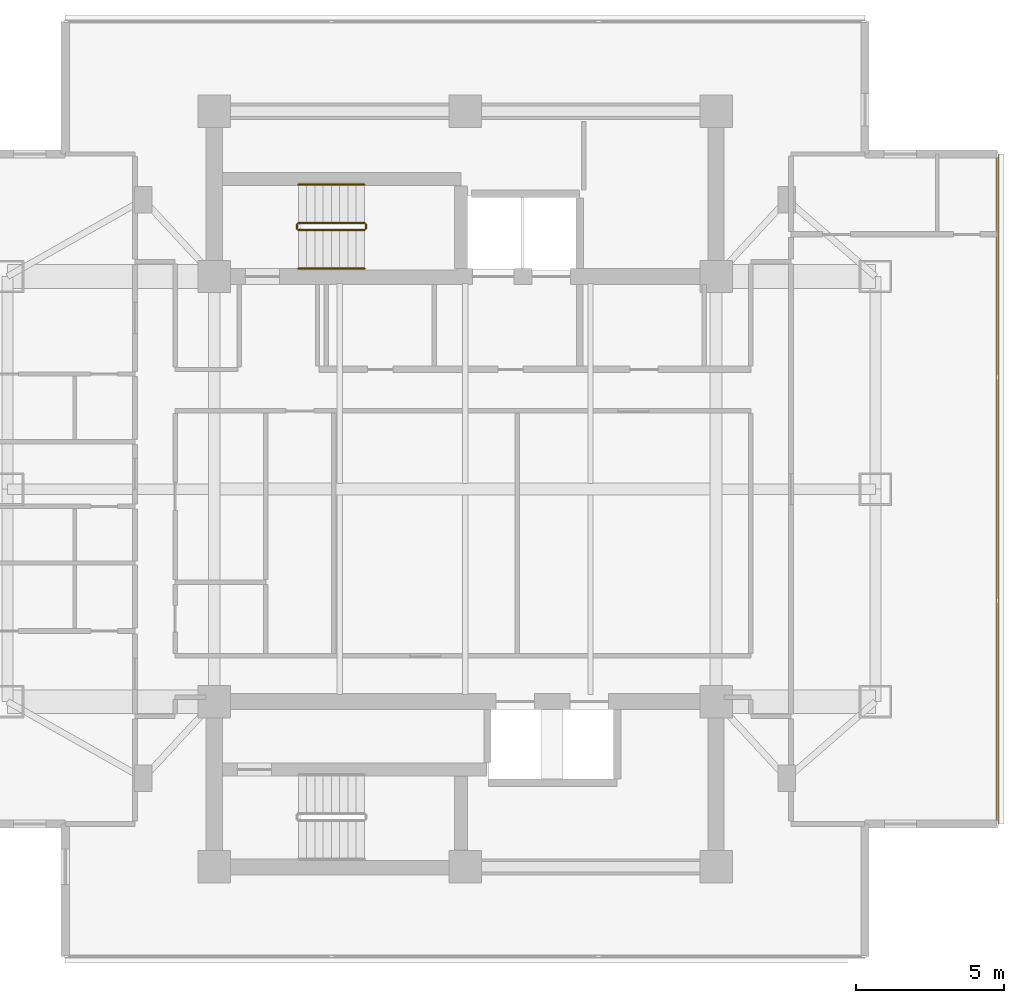
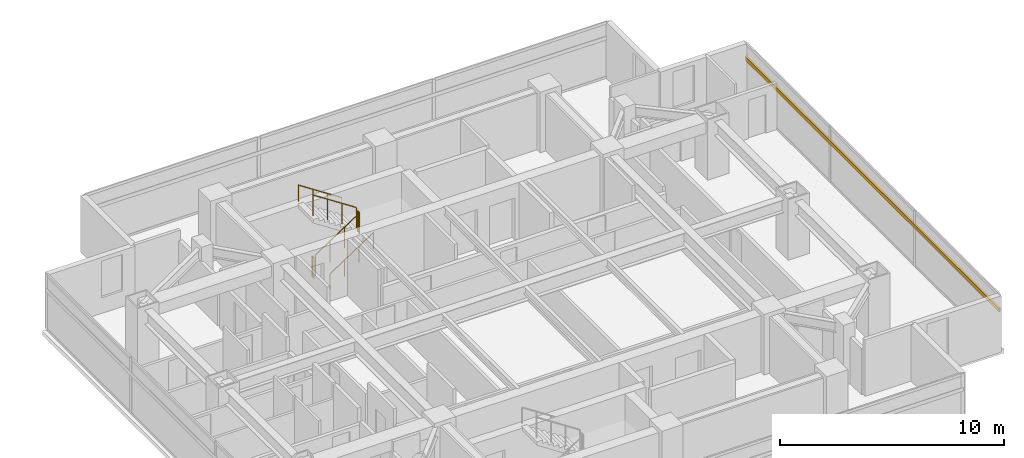
# One storey, part 23 of 24: 6 railings, 1 shading device.
"""IFC4 building model written with IfcOpenShell, lengths in metres."""

from ifc_helpers import new_model, si_unit, direction, frame, origin, origin_2d, place, context, subcontext, project, spatial, rectangle, circle, extrude, material, material_profile, profile_set, type_object, element, save


model = new_model("IFC4")

# Units and contexts
model_context = context("Model", 3, precision=1e-05, world=origin(), true_north=direction((0.0, 1.0)))
body_context = subcontext(model_context, "Body", "Model", "MODEL_VIEW")
ifc_project = project(units=[si_unit("LENGTHUNIT", "METRE"), si_unit("AREAUNIT", "SQUARE_METRE"), si_unit("VOLUMEUNIT", "CUBIC_METRE"), si_unit("PLANEANGLEUNIT", "RADIAN"), si_unit("MASSUNIT", "GRAM", prefix="KILO")], contexts=[model_context])

# Site, building, storey
site_placement = place(None, origin())
site = spatial("IfcSite", under=ifc_project, at=site_placement, CompositionType="ELEMENT")
building_placement = place(site_placement, origin())
building = spatial("IfcBuilding", under=site, at=building_placement, Name="Mirazonda Arch Towers", CompositionType="ELEMENT")
storey_placement = place(building_placement, frame((0.0, 0.0, 134.60009765625)))
storey = spatial("IfcBuildingStorey", under=building, at=storey_placement, Name="L38", CompositionType="ELEMENT", Elevation=134.60009765625)

# Shading device
ifc_material_1 = material(Name="Kiln-Fired Architectural Terracotta", Category="masonry")
ifc_material_profile = material_profile(ifc_material_1, rectangle(XDim=0.10009765625, YDim=0.199951171875, at=origin_2d()), Name="TERRA-BAG-100x200")
ifc_profile_set = profile_set([ifc_material_profile], Name="Kiln-Fired Architectural Terracotta")
shading_device_type = type_object("IfcShadingDeviceType", Name="BAGUETTE-2", PredefinedType="USERDEFINED", material=ifc_profile_set)
shading_device_placement = place(storey_placement, frame((94.534912109375, 16.65087890625, 2.203125), z_axis=(0.0, 1.0, 0.0), x_axis=(-1.0, 0.0, 0.0)))
element("IfcShadingDevice", 1, at=shading_device_placement, inside=storey, type_object=shading_device_type, Name="L38 Glazed Terracotta Sun-Screen Baguette CW-L38-T2-E", ObjectType="BAGUETTE", PredefinedType="USERDEFINED", context=body_context, shape_type="SweptSolid", body=[
    extrude(rectangle(XDim=0.10009765625, YDim=0.199951171875, at=origin_2d()), origin(), (0.0, 0.0, 1.0), 22.6982421875),
])

# Railings
ifc_material_2 = material(Name="Architectural Brushed Steel S355", Category="steel")
railing_type_1 = type_object("IfcRailingType", Name="GUARD-STAIR-1120", PredefinedType="GUARDRAIL", material=ifc_material_2)
railing_1_placement = place(storey_placement, frame((70.85009765625, 36.77001953125, 0.183349609375)))
element("IfcRailing", 2, at=railing_1_placement, inside=storey, type_object=railing_type_1, Name="L38 ST-T2N stair guard 1", PredefinedType="GUARDRAIL", context=body_context, shape_type="SweptSolid", body=[
    extrude(circle(Radius=0.02392578125, at=origin_2d()), frame((0.0, 0.0, 1.1259765625), z_axis=(0.836636935527, 0.0, 0.547757827979), x_axis=(0.0, 1.0, 0.0)), (0.0, 0.0, 1.0), 2.677490234375),
    extrude(circle(Radius=0.02099609375, at=origin_2d()), origin(), (0.0, 0.0, 1.0), 1.101806640625),
    extrude(circle(Radius=0.02099609375, at=origin_2d()), frame((0.74658203125, 0.0, 0.48876953125)), (0.0, 0.0, 1.0), 1.101806640625),
    extrude(circle(Radius=0.02099609375, at=origin_2d()), frame((1.493408203125, 0.0, 0.977783203125)), (0.0, 0.0, 1.0), 1.101806640625),
    extrude(circle(Radius=0.02099609375, at=origin_2d()), frame((2.239990234375, 0.0, 1.466552734375)), (0.0, 0.0, 1.0), 1.101806640625),
])
railing_2_placement = place(storey_placement, frame((73.139892578125, 36.820068359375, 1.64990234375)))
element("IfcRailing", 3, at=railing_2_placement, inside=storey, type_object=railing_type_1, Name="L38 ST-T2N stair guard 2", PredefinedType="GUARDRAIL", context=body_context, shape_type="SweptSolid", body=[
    extrude(circle(Radius=0.02392578125, at=origin_2d()), frame((0.0, 0.0, 1.1259765625), z_axis=(0.0, 1.0, 0.0), x_axis=(-1.0, 0.0, 0.0)), (0.0, 0.0, 1.0), 0.139892578125),
    extrude(circle(Radius=0.02099609375, at=origin_2d()), origin(), (0.0, 0.0, 1.0), 1.101806640625),
    extrude(circle(Radius=0.02099609375, at=origin_2d()), frame((0.0, 0.139892578125, 0.0)), (0.0, 0.0, 1.0), 1.101806640625),
])
railing_3_placement = place(storey_placement, frame((73.090087890625, 37.010009765625, 1.833251953125)))
element("IfcRailing", 4, at=railing_3_placement, inside=storey, type_object=railing_type_1, Name="L38 ST-T2N stair guard 3", PredefinedType="GUARDRAIL", context=body_context, shape_type="SweptSolid", body=[
    extrude(circle(Radius=0.02392578125, at=origin_2d()), frame((0.0, 0.0, 1.1259765625), z_axis=(-0.836636935527, 0.0, 0.547757827979), x_axis=(0.0, -1.0, 0.0)), (0.0, 0.0, 1.0), 2.677490234375),
    extrude(circle(Radius=0.02099609375, at=origin_2d()), origin(), (0.0, 0.0, 1.0), 1.101806640625),
    extrude(circle(Radius=0.02099609375, at=origin_2d()), frame((-0.74658203125, 0.0, 0.48876953125)), (0.0, 0.0, 1.0), 1.101806640625),
    extrude(circle(Radius=0.02099609375, at=origin_2d()), frame((-1.493408203125, 0.0, 0.977783203125)), (0.0, 0.0, 1.0), 1.101806640625),
    extrude(circle(Radius=0.02099609375, at=origin_2d()), frame((-2.239990234375, 0.0, 1.466552734375)), (0.0, 0.0, 1.0), 1.101806640625),
])
railing_4_placement = place(storey_placement, frame((70.800048828125, 36.820068359375, 0.0)))
element("IfcRailing", 5, at=railing_4_placement, inside=storey, type_object=railing_type_1, Name="L38 ST-T2N stair guard 4", PredefinedType="GUARDRAIL", context=body_context, shape_type="SweptSolid", body=[
    extrude(circle(Radius=0.02392578125, at=origin_2d()), frame((0.0, 0.0, 1.1259765625), z_axis=(0.0, 1.0, 0.0), x_axis=(-1.0, 0.0, 0.0)), (0.0, 0.0, 1.0), 0.139892578125),
    extrude(circle(Radius=0.02099609375, at=origin_2d()), origin(), (0.0, 0.0, 1.0), 1.101806640625),
    extrude(circle(Radius=0.02099609375, at=origin_2d()), frame((0.0, 0.139892578125, 0.0)), (0.0, 0.0, 1.0), 1.101806640625),
])
railing_type_2 = type_object("IfcRailingType", Name="HANDRAIL-915", PredefinedType="HANDRAIL", material=ifc_material_2)
railing_5_placement = place(storey_placement, frame((70.85009765625, 35.469970703125, 0.183349609375)))
element("IfcRailing", 6, at=railing_5_placement, inside=storey, type_object=railing_type_2, Name="L38 ST-T2N stair handrail 1", PredefinedType="HANDRAIL", context=body_context, shape_type="SweptSolid", body=[
    extrude(circle(Radius=0.02392578125, at=origin_2d()), frame((0.0, 0.0, 0.8759765625), z_axis=(0.836636935527, 0.0, 0.547757827979), x_axis=(0.0, 1.0, 0.0)), (0.0, 0.0, 1.0), 2.677490234375),
    extrude(circle(Radius=0.02099609375, at=origin_2d()), origin(), (0.0, 0.0, 1.0), 0.851806640625),
    extrude(circle(Radius=0.02099609375, at=origin_2d()), frame((0.74658203125, 0.0, 0.48876953125)), (0.0, 0.0, 1.0), 0.851806640625),
    extrude(circle(Radius=0.02099609375, at=origin_2d()), frame((1.493408203125, 0.0, 0.977783203125)), (0.0, 0.0, 1.0), 0.851806640625),
    extrude(circle(Radius=0.02099609375, at=origin_2d()), frame((2.239990234375, 0.0, 1.466552734375)), (0.0, 0.0, 1.0), 0.851806640625),
])
railing_6_placement = place(storey_placement, frame((73.090087890625, 38.31005859375, 1.833251953125)))
element("IfcRailing", 7, at=railing_6_placement, inside=storey, type_object=railing_type_2, Name="L38 ST-T2N stair handrail 2", PredefinedType="HANDRAIL", context=body_context, shape_type="SweptSolid", body=[
    extrude(circle(Radius=0.02392578125, at=origin_2d()), frame((0.0, 0.0, 0.8759765625), z_axis=(-0.836636935527, 0.0, 0.547757827979), x_axis=(0.0, -1.0, 0.0)), (0.0, 0.0, 1.0), 2.677490234375),
    extrude(circle(Radius=0.02099609375, at=origin_2d()), origin(), (0.0, 0.0, 1.0), 0.851806640625),
    extrude(circle(Radius=0.02099609375, at=origin_2d()), frame((-0.74658203125, 0.0, 0.48876953125)), (0.0, 0.0, 1.0), 0.851806640625),
    extrude(circle(Radius=0.02099609375, at=origin_2d()), frame((-1.493408203125, 0.0, 0.977783203125)), (0.0, 0.0, 1.0), 0.851806640625),
    extrude(circle(Radius=0.02099609375, at=origin_2d()), frame((-2.239990234375, 0.0, 1.466552734375)), (0.0, 0.0, 1.0), 0.851806640625),
])

save(model, "model.ifc")
